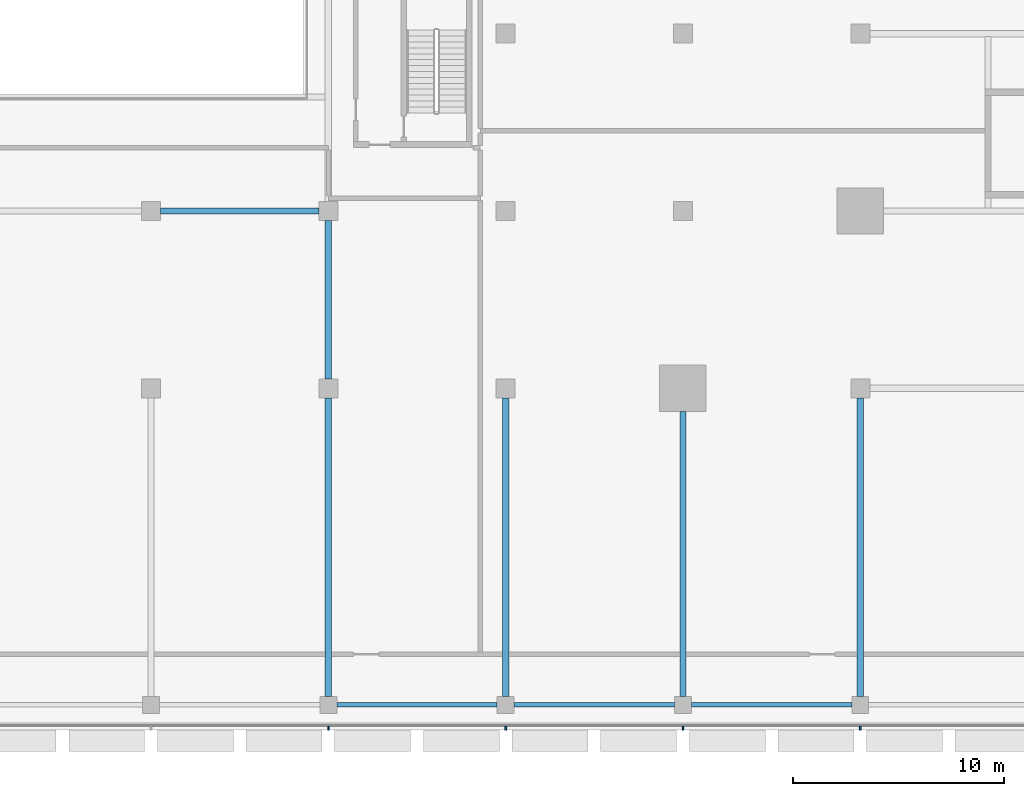
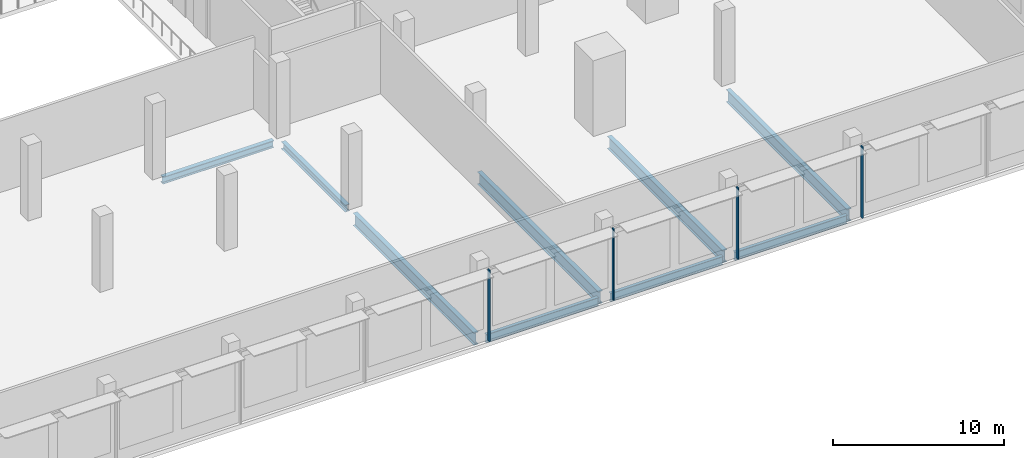
# One storey, part 11 of 39: 9 beams, 4 members, 1 element without a shape of its own.
"""IFC4 building model written with IfcOpenShell, lengths in metres."""

from ifc_helpers import new_model, si_unit, direction, frame, origin, origin_2d, place, context, subcontext, project, spatial, rectangle, i_section, extrude, material, material_profile, profile_set, type_object, element, aggregate, save


model = new_model("IFC4")

# Units and contexts
model_context = context("Model", 3, precision=1e-05, world=origin(), true_north=direction((0.0, 1.0)))
body_context = subcontext(model_context, "Body", "Model", "MODEL_VIEW")
ifc_project = project(units=[si_unit("LENGTHUNIT", "METRE"), si_unit("AREAUNIT", "SQUARE_METRE"), si_unit("VOLUMEUNIT", "CUBIC_METRE"), si_unit("PLANEANGLEUNIT", "RADIAN"), si_unit("MASSUNIT", "GRAM", prefix="KILO")], contexts=[model_context])

# Site, building, storey
site_placement = place(None, origin())
site = spatial("IfcSite", under=ifc_project, at=site_placement, CompositionType="ELEMENT")
building_placement = place(site_placement, origin())
building = spatial("IfcBuilding", under=site, at=building_placement, Name="Saffron Gate Tower", CompositionType="ELEMENT")
storey_placement = place(building_placement, frame((0.0, 0.0, 9.0)))
storey = spatial("IfcBuildingStorey", under=building, at=storey_placement, Name="L01", CompositionType="ELEMENT", Elevation=9.0)

# Beams
ifc_material_1 = material(Name="Structural steel S355", Category="steel")
ifc_material_profile_1 = material_profile(ifc_material_1, i_section(OverallWidth=0.219970703125, OverallDepth=0.60009765625, WebThickness=0.011962890625, FlangeThickness=0.01904296875, FilletRadius=0.02392578125, at=origin_2d()))
ifc_profile_set_1 = profile_set([ifc_material_profile_1], Name="Structural steel S355")
beam_type_1 = type_object("IfcBeamType", Name="B15 IPE 600", PredefinedType="BEAM", material=ifc_profile_set_1)
beam_1_placement = place(storey_placement, frame((100.60009765625, 16.800048828125, -0.60009765625), z_axis=(1.0, 0.0, 0.0), x_axis=(0.0, 1.0, 0.0)))
element("IfcBeam", 1, at=beam_1_placement, inside=storey, type_object=beam_type_1, Name="B15 PODIUM EDGE BEAM", PredefinedType="BEAM", context=body_context, shape_type="SweptSolid", body=[
    extrude(i_section(OverallWidth=0.219970703125, OverallDepth=0.60009765625, WebThickness=0.011962890625, FlangeThickness=0.01904296875, FilletRadius=0.02392578125, at=origin_2d()), origin(), (0.0, 0.0, 1.0), 7.599853515625),
])
for number, where, z_axis, x_axis, name in (
    (2, (109.0, 16.800048828125, -0.60009765625), (1.0, 0.0, 0.0), (0.0, 1.0, 0.0), "B15 PODIUM EDGE BEAM"),
    (3, (117.39990234375, 16.800048828125, -0.60009765625), (1.0, 0.0, 0.0), (0.0, 1.0, 0.0), "B15 PODIUM EDGE BEAM"),
):
    element("IfcBeam", number, at=place(storey_placement, frame(where, z_axis=z_axis, x_axis=x_axis)), inside=storey, type_object=beam_type_1, Name=name, PredefinedType="BEAM", context=body_context, shape_type="SweptSolid", body=[
        extrude(i_section(OverallWidth=0.219970703125, OverallDepth=0.60009765625, WebThickness=0.011962890625, FlangeThickness=0.01904296875, FilletRadius=0.02392578125, at=origin_2d()), origin(), (0.0, 0.0, 1.0), 7.60009765625),
    ])
ifc_material_profile_2 = material_profile(ifc_material_1, i_section(OverallWidth=0.300048828125, OverallDepth=0.889892578125, WebThickness=0.01611328125, FlangeThickness=0.030029296875, FilletRadius=0.030029296875, at=origin_2d()))
ifc_profile_set_2 = profile_set([ifc_material_profile_2], Name="Structural steel S355")
beam_type_2 = type_object("IfcBeamType", Name="B19 HEA 900", PredefinedType="BEAM", material=ifc_profile_set_2)
for number, where, z_axis, x_axis, name in (
    (4, (100.199951171875, 17.199951171875, -0.7451171875), (0.0, 1.0, 0.0), (-1.0, 0.0, 0.0), "B19 PODIUM RING GIRDER"),
    (5, (108.60009765625, 17.199951171875, -0.7451171875), (0.0, 1.0, 0.0), (-1.0, 0.0, 0.0), "B19 PODIUM RING GIRDER"),
):
    element("IfcBeam", number, at=place(storey_placement, frame(where, z_axis=z_axis, x_axis=x_axis)), inside=storey, type_object=beam_type_2, Name=name, PredefinedType="BEAM", context=body_context, shape_type="SweptSolid", body=[
        extrude(i_section(OverallWidth=0.300048828125, OverallDepth=0.889892578125, WebThickness=0.01611328125, FlangeThickness=0.030029296875, FilletRadius=0.030029296875, at=origin_2d()), origin(), (0.0, 0.0, 1.0), 14.150146484375),
    ])
beam_2_placement = place(storey_placement, frame((117.0, 17.199951171875, -0.7451171875), z_axis=(0.0, 1.0, 0.0), x_axis=(-1.0, 0.0, 0.0)))
element("IfcBeam", 6, at=beam_2_placement, inside=storey, type_object=beam_type_2, Name="B19 PODIUM RING GIRDER", PredefinedType="BEAM", context=body_context, shape_type="SweptSolid", body=[
    extrude(i_section(OverallWidth=0.300048828125, OverallDepth=0.889892578125, WebThickness=0.01611328125, FlangeThickness=0.030029296875, FilletRadius=0.030029296875, at=origin_2d()), origin(), (0.0, 0.0, 1.0), 13.5),
])
beam_3_placement = place(storey_placement, frame((125.39990234375, 17.199951171875, -0.7451171875), z_axis=(0.0, 1.0, 0.0), x_axis=(-1.0, 0.0, 0.0)))
element("IfcBeam", 7, at=beam_3_placement, inside=storey, type_object=beam_type_2, Name="B19 PODIUM RING GIRDER", PredefinedType="BEAM", context=body_context, shape_type="SweptSolid", body=[
    extrude(i_section(OverallWidth=0.300048828125, OverallDepth=0.889892578125, WebThickness=0.01611328125, FlangeThickness=0.030029296875, FilletRadius=0.030029296875, at=origin_2d()), origin(), (0.0, 0.0, 1.0), 14.150146484375),
])
ifc_material_profile_3 = material_profile(ifc_material_1, i_section(OverallWidth=0.300048828125, OverallDepth=0.5, WebThickness=0.014404296875, FlangeThickness=0.028076171875, FilletRadius=0.027099609375, at=origin_2d()))
ifc_profile_set_3 = profile_set([ifc_material_profile_3], Name="Structural steel S355")
beam_type_3 = type_object("IfcBeamType", Name="B9 HEB 500", PredefinedType="BEAM", material=ifc_profile_set_3)
for number, where, z_axis, x_axis, name in (
    (8, (100.199951171875, 32.25, -0.550048828125), (0.0, 1.0, 0.0), (-1.0, 0.0, 0.0), "B9 FLOOR GIRDER"),
    (9, (92.25, 40.199951171875, -0.550048828125), (1.0, 0.0, 0.0), (0.0, 1.0, 0.0), "B9 FLOOR GIRDER"),
):
    element("IfcBeam", number, at=place(storey_placement, frame(where, z_axis=z_axis, x_axis=x_axis)), inside=storey, type_object=beam_type_3, Name=name, PredefinedType="BEAM", context=body_context, shape_type="SweptSolid", body=[
        extrude(i_section(OverallWidth=0.300048828125, OverallDepth=0.5, WebThickness=0.014404296875, FlangeThickness=0.028076171875, FilletRadius=0.027099609375, at=origin_2d()), origin(), (0.0, 0.0, 1.0), 7.5),
    ])

# Curtain wall, members
ifc_material_2 = material(Name="Aluminium, bronze anodised", Category="aluminium")
curtain_wall_type = type_object("IfcCurtainWallType", Name="CWS5 curtain wall podium ring base", PredefinedType="NOTDEFINED", material=ifc_material_2)
curtain_wall_placement = place(storey_placement, origin())
curtain_wall = element("IfcCurtainWall", 10, at=curtain_wall_placement, inside=storey, type_object=curtain_wall_type, Name="CWS5 run 1", PredefinedType="NOTDEFINED")
ifc_material_profile_4 = material_profile(ifc_material_2, rectangle(XDim=0.199951171875, YDim=0.080078125, at=origin_2d()))
ifc_profile_set_4 = profile_set([ifc_material_profile_4], Name="Aluminium, bronze anodised")
member_type = type_object("IfcMemberType", Name="CWS5 mullion 80x200", PredefinedType="MULLION", material=ifc_profile_set_4)
member_1_placement = place(storey_placement, frame((100.199951171875, 15.699951171875, 0.0), z_axis=(0.0, 0.0, 1.0), x_axis=(0.0, 1.0, 0.0)))
member_1 = element("IfcMember", 11, at=member_1_placement, type_object=member_type, Name="CWS5 mullion 10", PredefinedType="MULLION", context=body_context, shape_type="SweptSolid", body=[
    extrude(rectangle(XDim=0.199951171875, YDim=0.080078125, at=origin_2d()), origin(), (0.0, 0.0, 1.0), 5.10009765625),
])
member_2_placement = place(storey_placement, frame((108.60009765625, 15.699951171875, 0.0), z_axis=(0.0, 0.0, 1.0), x_axis=(0.0, 1.0, 0.0)))
member_2 = element("IfcMember", 12, at=member_2_placement, type_object=member_type, Name="CWS5 mullion 11", PredefinedType="MULLION", context=body_context, shape_type="SweptSolid", body=[
    extrude(rectangle(XDim=0.199951171875, YDim=0.080078125, at=origin_2d()), origin(), (0.0, 0.0, 1.0), 5.10009765625),
])
member_3_placement = place(storey_placement, frame((117.0, 15.699951171875, 0.0), z_axis=(0.0, 0.0, 1.0), x_axis=(0.0, 1.0, 0.0)))
member_3 = element("IfcMember", 13, at=member_3_placement, type_object=member_type, Name="CWS5 mullion 12", PredefinedType="MULLION", context=body_context, shape_type="SweptSolid", body=[
    extrude(rectangle(XDim=0.199951171875, YDim=0.080078125, at=origin_2d()), origin(), (0.0, 0.0, 1.0), 5.10009765625),
])
member_4_placement = place(storey_placement, frame((125.39990234375, 15.699951171875, 0.0), z_axis=(0.0, 0.0, 1.0), x_axis=(0.0, 1.0, 0.0)))
member_4 = element("IfcMember", 14, at=member_4_placement, type_object=member_type, Name="CWS5 mullion 13", PredefinedType="MULLION", context=body_context, shape_type="SweptSolid", body=[
    extrude(rectangle(XDim=0.199951171875, YDim=0.080078125, at=origin_2d()), origin(), (0.0, 0.0, 1.0), 5.10009765625),
])
aggregate(curtain_wall, [member_1, member_2, member_3, member_4])

save(model, "model.ifc")
